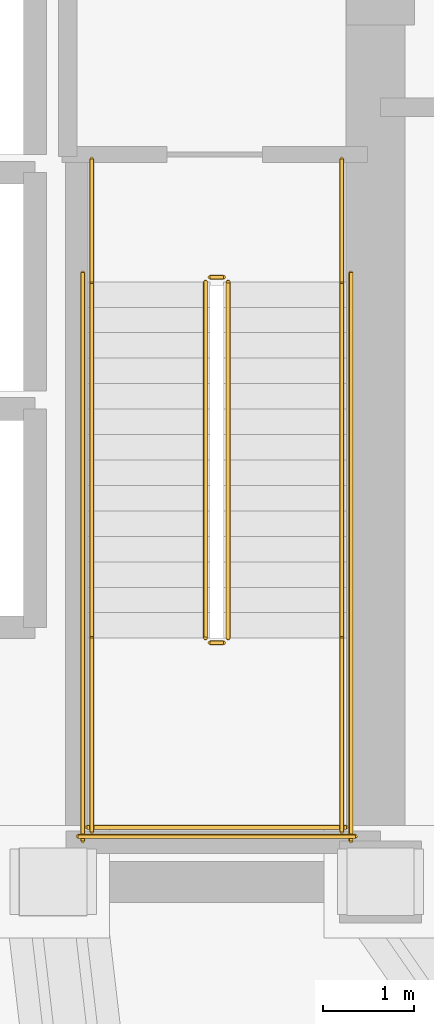
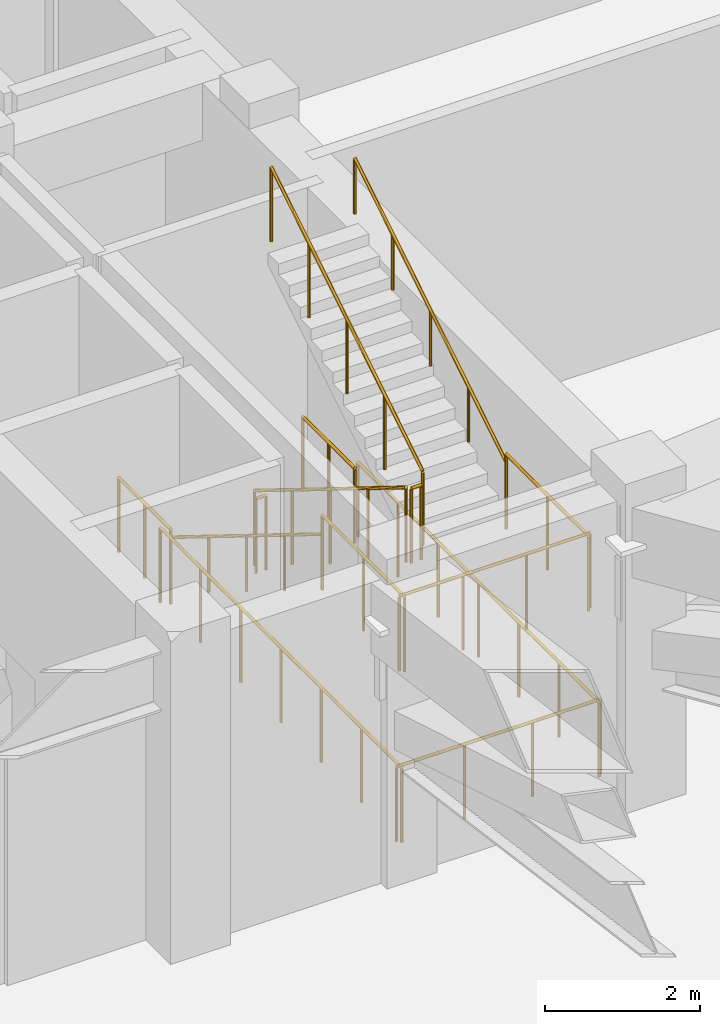
# One storey, part 9 of 10: 14 railings.
"""IFC4 building model written with IfcOpenShell, lengths in metres."""

import ifcopenshell
import ifcopenshell.guid

model = None  # the IFC model being written
_history = None  # IfcOwnerHistory: only IFC2X3 demands one
_inside = {}  # id of a spatial element -> (the spatial element, [elements in it])
_under = {}  # id of a project, library or spatial element -> (it, [spatial elements below it])
_declared = {}  # id of a project -> (the project, [libraries it declares])
_typed = {}  # id of a type object -> (the type object, [elements of that type])
_made_of = {}  # id of a material, layer set ... -> (it, [elements and type objects made of it])


def new_model(schema):
    """Start an empty IFC model of exactly this schema.

    Asked for "IFC4X3", IfcOpenShell would pick the latest addendum, in which some entities
    have other attributes; the version numbers below select the first issue.
    IFC2X3 requires an IfcOwnerHistory on every rooted entity: one is made here for all.
    """
    global model, _history
    if schema == "IFC4X3":
        model = ifcopenshell.file(schema_version=(4, 3, 0, 0))
    else:
        model = ifcopenshell.file(schema=schema)
    _inside.clear()
    _under.clear()
    _declared.clear()
    _typed.clear()
    _made_of.clear()
    _history = None
    if model.schema == "IFC2X3":
        org = make("IfcOrganization", Name="unknown")
        user = make(
            "IfcPersonAndOrganization",
            ThePerson=make("IfcPerson", FamilyName="unknown"),
            TheOrganization=org,
        )
        app = make(
            "IfcApplication",
            ApplicationDeveloper=org,
            Version="unknown",
            ApplicationFullName="unknown",
            ApplicationIdentifier="unknown",
        )
        _history = make(
            "IfcOwnerHistory",
            OwningUser=user,
            OwningApplication=app,
            ChangeAction="ADDED",
            CreationDate=0,
        )
    return model


def make(cls, **values):
    """One entity of the class cls with the attributes given. An attribute that is None is left unset."""
    return model.create_entity(
        cls, **{name: value for name, value in values.items() if value is not None}
    )


def rooted(cls, **values):
    """An entity with a GlobalId (a new one), such as an element, a storey or a relation."""
    return make(cls, GlobalId=ifcopenshell.guid.new(), OwnerHistory=_history, **values)


def si_unit(unit_type, name, prefix=None):
    """IfcSIUnit, for example si_unit("LENGTHUNIT", "METRE", prefix="MILLI")."""
    return make("IfcSIUnit", UnitType=unit_type, Prefix=prefix, Name=name)


def assignment(units):
    """IfcUnitAssignment: the units of a project."""
    return None if units is None else make("IfcUnitAssignment", Units=units)


def point(xyz):
    """IfcCartesianPoint."""
    return None if xyz is None else make("IfcCartesianPoint", Coordinates=xyz)


def direction(xyz):
    """IfcDirection."""
    return None if xyz is None else make("IfcDirection", DirectionRatios=xyz)


def frame(location, z_axis=None, x_axis=None):
    """IfcAxis2Placement3D, a coordinate frame: its origin and axes. An axis left out is left unset."""
    return make(
        "IfcAxis2Placement3D",
        Location=point(location),
        Axis=direction(z_axis),
        RefDirection=direction(x_axis),
    )


def frame_2d(location, x_axis=None):
    """IfcAxis2Placement2D, a coordinate frame in the plane: its origin and x axis."""
    return make(
        "IfcAxis2Placement2D", Location=point(location), RefDirection=direction(x_axis)
    )


def origin():
    """The frame at (0, 0, 0) with its axes left unset."""
    return frame((0.0, 0.0, 0.0))


def origin_2d():
    """The frame at (0, 0) in the plane with its x axis left unset."""
    return frame_2d((0.0, 0.0))


def place(relative_to, where):
    """IfcLocalPlacement: puts the frame where relative to a parent placement (None: the world)."""
    return make(
        "IfcLocalPlacement", PlacementRelTo=relative_to, RelativePlacement=where
    )


def context(
    kind, dimensions, precision=None, world=None, true_north=None, identifier=None
):
    """IfcGeometricRepresentationContext, for example the 3D "Model" context."""
    return make(
        "IfcGeometricRepresentationContext",
        ContextIdentifier=identifier,
        ContextType=kind,
        CoordinateSpaceDimension=dimensions,
        Precision=precision,
        WorldCoordinateSystem=world,
        TrueNorth=true_north,
    )


def subcontext(parent, identifier, kind, view, scale=None):
    """IfcGeometricRepresentationSubContext, for example "Body" below "Model"."""
    return make(
        "IfcGeometricRepresentationSubContext",
        ContextIdentifier=identifier,
        ContextType=kind,
        ParentContext=parent,
        TargetScale=scale,
        TargetView=view,
    )


def project(units=None, contexts=None):
    """IfcProject with its units and contexts."""
    return rooted(
        "IfcProject",
        Name="project",
        RepresentationContexts=contexts,
        UnitsInContext=assignment(units),
    )


def spatial(cls, under=None, at=None, **own):
    """A site, building, storey or space (cls), placed at a placement, below another one or the project."""
    s = rooted(cls, ObjectPlacement=at, **own)
    if under is not None:
        _under.setdefault(under.id(), (under, []))[1].append(s)
    return s


def profile(cls, at=None, kind="AREA", **sizes):
    """A parametric profile (cls). Its sizes go by their IFC names, for example OverallWidth=200.0."""
    return make(cls, ProfileType=kind, Position=at, **sizes)


def circle(**sizes):
    """IfcCircleProfileDef."""
    return profile("IfcCircleProfileDef", **sizes)


def extrude(swept, where, along, depth):
    """IfcExtrudedAreaSolid: the profile swept, set in the frame where, extruded along a direction by depth."""
    return make(
        "IfcExtrudedAreaSolid",
        SweptArea=swept,
        Position=where,
        ExtrudedDirection=direction(along),
        Depth=depth,
    )


def shape(context_of_items, identifier, shape_type, items):
    """IfcShapeRepresentation: the items that make up one representation, for example the "Body"."""
    return make(
        "IfcShapeRepresentation",
        ContextOfItems=context_of_items,
        RepresentationIdentifier=identifier,
        RepresentationType=shape_type,
        Items=items,
    )


def material(Name=None, Category=None):
    """IfcMaterial."""
    return make("IfcMaterial", Name=Name, Category=Category)


def made_of(thing, what):
    """Note that an element or type object is made of a material, layer set ...; save() writes the relation."""
    if what is not None:
        _made_of.setdefault(what.id(), (what, []))[1].append(thing)
    return thing


def type_object(cls, material=None, **own):
    """A type object (cls), such as IfcWallType, which elements share."""
    return made_of(rooted(cls, **own), material)


def element(
    cls,
    number,
    at=None,
    inside=None,
    cuts=None,
    type_object=None,
    material=None,
    context=None,
    identifier="Body",
    shape_type=None,
    held_by="IfcProductDefinitionShape",
    body=None,
    shapes=None,
    **own,
):
    """One element of the class cls, such as IfcWall. Its Tag is "e" and its number.

    at: its placement. inside: the storey or other place that contains it. cuts: it is an
    opening in that element (IfcRelVoidsElement). A single representation is given by context,
    identifier, shape_type and body (its items); several are given by shapes. held_by: the class
    of the entity that holds the representations. save() writes the other relations.
    """
    e = rooted(cls, Tag="e%d" % number, ObjectPlacement=at, **own)
    if body is not None:
        shapes = [shape(context, identifier, shape_type, body)]
    if shapes is not None:
        e.Representation = make(held_by, Representations=shapes)
    if inside is not None:
        _inside.setdefault(inside.id(), (inside, []))[1].append(e)
    if cuts is not None:
        rooted(
            "IfcRelVoidsElement", RelatingBuildingElement=cuts, RelatedOpeningElement=e
        )
    if type_object is not None:
        _typed.setdefault(type_object.id(), (type_object, []))[1].append(e)
    return made_of(e, material)


def aggregate(whole, parts):
    """IfcRelAggregates: a whole, such as a stair, and the parts it consists of."""
    return rooted("IfcRelAggregates", RelatingObject=whole, RelatedObjects=parts)


def save(model, path):
    """Write the relations noted so far, then the file.

    IfcRelAggregates (storeys below a building ...), IfcRelContainedInSpatialStructure (elements
    in a storey), IfcRelDefinesByType, IfcRelAssociatesMaterial and IfcRelDeclares: one each for
    every whole, place, type object, material and project.
    """
    for whole, parts in _under.values():
        aggregate(whole, parts)
    for where, things in _inside.values():
        rooted(
            "IfcRelContainedInSpatialStructure",
            RelatedElements=things,
            RelatingStructure=where,
        )
    for kind, things in _typed.values():
        rooted("IfcRelDefinesByType", RelatedObjects=things, RelatingType=kind)
    for what, things in _made_of.values():
        rooted("IfcRelAssociatesMaterial", RelatedObjects=things, RelatingMaterial=what)
    for by, libraries in _declared.values():
        rooted("IfcRelDeclares", RelatingContext=by, RelatedDefinitions=libraries)
    model.write(path)


model = new_model("IFC4")

# Units and contexts
model_context = context("Model", 3, precision=1e-05, world=origin(), true_north=direction((0.0, 1.0)))
body_context = subcontext(model_context, "Body", "Model", "MODEL_VIEW")
ifc_project = project(units=[si_unit("LENGTHUNIT", "METRE"), si_unit("AREAUNIT", "SQUARE_METRE"), si_unit("VOLUMEUNIT", "CUBIC_METRE"), si_unit("PLANEANGLEUNIT", "RADIAN"), si_unit("MASSUNIT", "GRAM", prefix="KILO")], contexts=[model_context])

# Site, building, storey
site_placement = place(None, origin())
site = spatial("IfcSite", under=ifc_project, at=site_placement, CompositionType="ELEMENT")
building_placement = place(site_placement, origin())
building = spatial("IfcBuilding", under=site, at=building_placement, Name="Voryun Gate Residences", CompositionType="ELEMENT")
storey_placement = place(building_placement, frame((0.0, 0.0, 195.0)))
storey = spatial("IfcBuildingStorey", under=building, at=storey_placement, Name="L48", CompositionType="ELEMENT", Elevation=195.0)

# Railings
ifc_material_1 = material(Name="Painted steel", Category="steel")
railing_type_1 = type_object("IfcRailingType", Name="RAIL_STAIR_GUARD_1200", PredefinedType="GUARDRAIL", material=ifc_material_1)
railing_1_placement = place(storey_placement, frame((17.27490234375, -0.800048828125, 0.17333984375)))
element("IfcRailing", 1, at=railing_1_placement, inside=storey, type_object=railing_type_1, Name="L48 ST-E1 stair guard 1", PredefinedType="GUARDRAIL", context=body_context, shape_type="SweptSolid", body=[
    extrude(circle(Radius=0.02392578125, at=origin_2d()), frame((0.0, 0.0, 1.17578125), z_axis=(0.0, -0.850251603719, 0.526376491091), x_axis=(1.0, 0.0, 0.0)), (0.0, 0.0, 1.0), 4.6103515625),
    extrude(circle(Radius=0.02099609375, at=origin_2d()), origin(), (0.0, 0.0, 1.0), 1.15185546875),
    extrude(circle(Radius=0.02099609375, at=origin_2d()), frame((0.0, -0.97998046875, 0.606689453125)), (0.0, 0.0, 1.0), 1.15185546875),
    extrude(circle(Radius=0.02099609375, at=origin_2d()), frame((0.0, -1.9599609375, 1.21337890625)), (0.0, 0.0, 1.0), 1.15185546875),
    extrude(circle(Radius=0.02099609375, at=origin_2d()), frame((0.0, -2.93994140625, 1.820068359375)), (0.0, 0.0, 1.0), 1.15185546875),
    extrude(circle(Radius=0.02099609375, at=origin_2d()), frame((0.0, -3.919921875, 2.4267578125)), (0.0, 0.0, 1.0), 1.15185546875),
])
railing_2_placement = place(storey_placement, frame((17.324951171875, -4.77001953125, 2.60009765625)))
element("IfcRailing", 2, at=railing_2_placement, inside=storey, type_object=railing_type_1, Name="L48 ST-E1 stair guard 2", PredefinedType="GUARDRAIL", context=body_context, shape_type="SweptSolid", body=[
    extrude(circle(Radius=0.02392578125, at=origin_2d()), frame((0.0, 0.0, 1.17578125), z_axis=(1.0, 0.0, 0.0), x_axis=(0.0, 1.0, 0.0)), (0.0, 0.0, 1.0), 0.150146484375),
    extrude(circle(Radius=0.02099609375, at=origin_2d()), origin(), (0.0, 0.0, 1.0), 1.15185546875),
    extrude(circle(Radius=0.02099609375, at=origin_2d()), frame((0.150146484375, 0.0, 0.0)), (0.0, 0.0, 1.0), 1.15185546875),
])
for number, where, name in (
    (3, (16.02490234375, -4.719970703125, 2.60009765625), "L48 ST-E1 stair guard 3"),
    (4, (18.77490234375, -4.719970703125, 2.60009765625), "L48 ST-E1 stair guard 4"),
):
    element("IfcRailing", number, at=place(storey_placement, frame(where)), inside=storey, type_object=railing_type_1, Name=name, PredefinedType="GUARDRAIL", context=body_context, shape_type="SweptSolid", body=[
        extrude(circle(Radius=0.02392578125, at=origin_2d()), frame((0.0, 0.0, 1.17578125), z_axis=(0.0, -1.0, 0.0), x_axis=(1.0, 0.0, 0.0)), (0.0, 0.0, 1.0), 2.130126953125),
        extrude(circle(Radius=0.02099609375, at=origin_2d()), origin(), (0.0, 0.0, 1.0), 1.15185546875),
        extrude(circle(Radius=0.02099609375, at=origin_2d()), frame((0.0, -1.06494140625, 0.0)), (0.0, 0.0, 1.0), 1.15185546875),
        extrude(circle(Radius=0.02099609375, at=origin_2d()), frame((0.0, -2.130126953125, 0.0)), (0.0, 0.0, 1.0), 1.15185546875),
    ])
railing_3_placement = place(storey_placement, frame((15.97509765625, -6.800048828125, 2.60009765625)))
element("IfcRailing", 5, at=railing_3_placement, inside=storey, type_object=railing_type_1, Name="L48 ST-E1 stair guard 5", PredefinedType="GUARDRAIL", context=body_context, shape_type="SweptSolid", body=[
    extrude(circle(Radius=0.02392578125, at=origin_2d()), frame((0.0, 0.0, 1.17578125), z_axis=(1.0, 0.0, 0.0), x_axis=(0.0, 1.0, 0.0)), (0.0, 0.0, 1.0), 2.849853515625),
    extrude(circle(Radius=0.02099609375, at=origin_2d()), origin(), (0.0, 0.0, 1.0), 1.15185546875),
    extrude(circle(Radius=0.02099609375, at=origin_2d()), frame((0.949951171875, 0.0, 0.0)), (0.0, 0.0, 1.0), 1.15185546875),
    extrude(circle(Radius=0.02099609375, at=origin_2d()), frame((1.89990234375, 0.0, 0.0)), (0.0, 0.0, 1.0), 1.15185546875),
    extrude(circle(Radius=0.02099609375, at=origin_2d()), frame((2.849853515625, 0.0, 0.0)), (0.0, 0.0, 1.0), 1.15185546875),
])
railing_4_placement = place(storey_placement, frame((17.52490234375, -4.719970703125, 2.7734375)))
element("IfcRailing", 6, at=railing_4_placement, inside=storey, type_object=railing_type_1, Name="L48 ST-E1 stair guard 6", PredefinedType="GUARDRAIL", context=body_context, shape_type="SweptSolid", body=[
    extrude(circle(Radius=0.02392578125, at=origin_2d()), frame((0.0, 0.0, 1.17578125), z_axis=(0.0, 0.850275303828, 0.526338206574), x_axis=(-1.0, 0.0, 0.0)), (0.0, 0.0, 1.0), 4.610107421875),
    extrude(circle(Radius=0.02099609375, at=origin_2d()), origin(), (0.0, 0.0, 1.0), 1.15185546875),
    extrude(circle(Radius=0.02099609375, at=origin_2d()), frame((0.0, 0.97998046875, 0.606689453125)), (0.0, 0.0, 1.0), 1.15185546875),
    extrude(circle(Radius=0.02099609375, at=origin_2d()), frame((0.0, 1.9599609375, 1.21337890625)), (0.0, 0.0, 1.0), 1.15185546875),
    extrude(circle(Radius=0.02099609375, at=origin_2d()), frame((0.0, 2.93994140625, 1.81982421875)), (0.0, 0.0, 1.0), 1.15185546875),
    extrude(circle(Radius=0.02099609375, at=origin_2d()), frame((0.0, 3.919921875, 2.426513671875)), (0.0, 0.0, 1.0), 1.15185546875),
])
railing_5_placement = place(storey_placement, frame((17.324951171875, -0.75, 0.0)))
element("IfcRailing", 7, at=railing_5_placement, inside=storey, type_object=railing_type_1, Name="L48 ST-E1 stair guard 7", PredefinedType="GUARDRAIL", context=body_context, shape_type="SweptSolid", body=[
    extrude(circle(Radius=0.02392578125, at=origin_2d()), frame((0.0, 0.0, 1.17578125), z_axis=(1.0, 0.0, 0.0), x_axis=(0.0, 1.0, 0.0)), (0.0, 0.0, 1.0), 0.150146484375),
    extrude(circle(Radius=0.02099609375, at=origin_2d()), origin(), (0.0, 0.0, 1.0), 1.15185546875),
    extrude(circle(Radius=0.02099609375, at=origin_2d()), frame((0.150146484375, 0.0, 0.0)), (0.0, 0.0, 1.0), 1.15185546875),
])
for number, where, name in (
    (8, (16.02490234375, 0.550048828125, 0.0), "L48 ST-E1 stair guard 8"),
    (9, (18.77490234375, 0.550048828125, 0.0), "L48 ST-E1 stair guard 9"),
):
    element("IfcRailing", number, at=place(storey_placement, frame(where)), inside=storey, type_object=railing_type_1, Name=name, PredefinedType="GUARDRAIL", context=body_context, shape_type="SweptSolid", body=[
        extrude(circle(Radius=0.02392578125, at=origin_2d()), frame((0.0, 0.0, 1.17578125), z_axis=(0.0, -1.0, 0.0), x_axis=(1.0, 0.0, 0.0)), (0.0, 0.0, 1.0), 1.35009765625),
        extrude(circle(Radius=0.02099609375, at=origin_2d()), origin(), (0.0, 0.0, 1.0), 1.15185546875),
        extrude(circle(Radius=0.02099609375, at=origin_2d()), frame((0.0, -0.675048828125, 0.0)), (0.0, 0.0, 1.0), 1.15185546875),
        extrude(circle(Radius=0.02099609375, at=origin_2d()), frame((0.0, -1.35009765625, 0.0)), (0.0, 0.0, 1.0), 1.15185546875),
    ])
for number, where, name in (
    (10, (15.925048828125, -0.699951171875, 0.0), "L48 ST-E1 stair guard 10"),
    (11, (18.875, -0.699951171875, 0.0), "L48 ST-E1 stair guard 11"),
):
    element("IfcRailing", number, at=place(storey_placement, frame(where)), inside=storey, type_object=railing_type_1, Name=name, PredefinedType="GUARDRAIL", context=body_context, shape_type="SweptSolid", body=[
        extrude(circle(Radius=0.02392578125, at=origin_2d()), frame((0.0, 0.0, 1.17578125), z_axis=(0.0, -1.0, 0.0), x_axis=(1.0, 0.0, 0.0)), (0.0, 0.0, 1.0), 6.25),
        extrude(circle(Radius=0.02099609375, at=origin_2d()), origin(), (0.0, 0.0, 1.0), 1.15185546875),
        extrude(circle(Radius=0.02099609375, at=origin_2d()), frame((0.0, -1.041748046875, 0.0)), (0.0, 0.0, 1.0), 1.15185546875),
        extrude(circle(Radius=0.02099609375, at=origin_2d()), frame((0.0, -2.083251953125, 0.0)), (0.0, 0.0, 1.0), 1.15185546875),
        extrude(circle(Radius=0.02099609375, at=origin_2d()), frame((0.0, -3.125, 0.0)), (0.0, 0.0, 1.0), 1.15185546875),
        extrude(circle(Radius=0.02099609375, at=origin_2d()), frame((0.0, -4.166748046875, 0.0)), (0.0, 0.0, 1.0), 1.15185546875),
        extrude(circle(Radius=0.02099609375, at=origin_2d()), frame((0.0, -5.208251953125, 0.0)), (0.0, 0.0, 1.0), 1.15185546875),
        extrude(circle(Radius=0.02099609375, at=origin_2d()), frame((0.0, -6.25, 0.0)), (0.0, 0.0, 1.0), 1.15185546875),
    ])
railing_6_placement = place(storey_placement, frame((15.875, -6.89990234375, 0.0)))
element("IfcRailing", 12, at=railing_6_placement, inside=storey, type_object=railing_type_1, Name="L48 ST-E1 stair guard 12", PredefinedType="GUARDRAIL", context=body_context, shape_type="SweptSolid", body=[
    extrude(circle(Radius=0.02392578125, at=origin_2d()), frame((0.0, 0.0, 1.17578125), z_axis=(1.0, 0.0, 0.0), x_axis=(0.0, 1.0, 0.0)), (0.0, 0.0, 1.0), 3.050048828125),
    extrude(circle(Radius=0.02099609375, at=origin_2d()), origin(), (0.0, 0.0, 1.0), 1.15185546875),
    extrude(circle(Radius=0.02099609375, at=origin_2d()), frame((1.0166015625, 0.0, 0.0)), (0.0, 0.0, 1.0), 1.15185546875),
    extrude(circle(Radius=0.02099609375, at=origin_2d()), frame((2.033447265625, 0.0, 0.0)), (0.0, 0.0, 1.0), 1.15185546875),
    extrude(circle(Radius=0.02099609375, at=origin_2d()), frame((3.050048828125, 0.0, 0.0)), (0.0, 0.0, 1.0), 1.15185546875),
])
ifc_material_2 = material(Name="Painted steel", Category="steel")
railing_type_2 = type_object("IfcRailingType", Name="RAIL_STAIR_HANDRAIL_900", PredefinedType="HANDRAIL", material=ifc_material_2)
railing_7_placement = place(storey_placement, frame((16.02490234375, -0.800048828125, 0.17333984375)))
element("IfcRailing", 13, at=railing_7_placement, inside=storey, type_object=railing_type_2, Name="L48 ST-E1 stair handrail 1", PredefinedType="HANDRAIL", context=body_context, shape_type="SweptSolid", body=[
    extrude(circle(Radius=0.02392578125, at=origin_2d()), frame((0.0, 0.0, 0.8759765625), z_axis=(0.0, -0.850251603719, 0.526376491091), x_axis=(1.0, 0.0, 0.0)), (0.0, 0.0, 1.0), 4.6103515625),
    extrude(circle(Radius=0.02099609375, at=origin_2d()), origin(), (0.0, 0.0, 1.0), 0.851806640625),
    extrude(circle(Radius=0.02099609375, at=origin_2d()), frame((0.0, -0.97998046875, 0.606689453125)), (0.0, 0.0, 1.0), 0.851806640625),
    extrude(circle(Radius=0.02099609375, at=origin_2d()), frame((0.0, -1.9599609375, 1.21337890625)), (0.0, 0.0, 1.0), 0.851806640625),
    extrude(circle(Radius=0.02099609375, at=origin_2d()), frame((0.0, -2.93994140625, 1.820068359375)), (0.0, 0.0, 1.0), 0.851806640625),
    extrude(circle(Radius=0.02099609375, at=origin_2d()), frame((0.0, -3.919921875, 2.4267578125)), (0.0, 0.0, 1.0), 0.851806640625),
])
railing_8_placement = place(storey_placement, frame((18.77490234375, -4.719970703125, 2.7734375)))
element("IfcRailing", 14, at=railing_8_placement, inside=storey, type_object=railing_type_2, Name="L48 ST-E1 stair handrail 2", PredefinedType="HANDRAIL", context=body_context, shape_type="SweptSolid", body=[
    extrude(circle(Radius=0.02392578125, at=origin_2d()), frame((0.0, 0.0, 0.8759765625), z_axis=(0.0, 0.850275303828, 0.526338206574), x_axis=(-1.0, 0.0, 0.0)), (0.0, 0.0, 1.0), 4.610107421875),
    extrude(circle(Radius=0.02099609375, at=origin_2d()), origin(), (0.0, 0.0, 1.0), 0.851806640625),
    extrude(circle(Radius=0.02099609375, at=origin_2d()), frame((0.0, 0.97998046875, 0.606689453125)), (0.0, 0.0, 1.0), 0.851806640625),
    extrude(circle(Radius=0.02099609375, at=origin_2d()), frame((0.0, 1.9599609375, 1.21337890625)), (0.0, 0.0, 1.0), 0.851806640625),
    extrude(circle(Radius=0.02099609375, at=origin_2d()), frame((0.0, 2.93994140625, 1.81982421875)), (0.0, 0.0, 1.0), 0.851806640625),
    extrude(circle(Radius=0.02099609375, at=origin_2d()), frame((0.0, 3.919921875, 2.426513671875)), (0.0, 0.0, 1.0), 0.851806640625),
])

save(model, "model.ifc")
